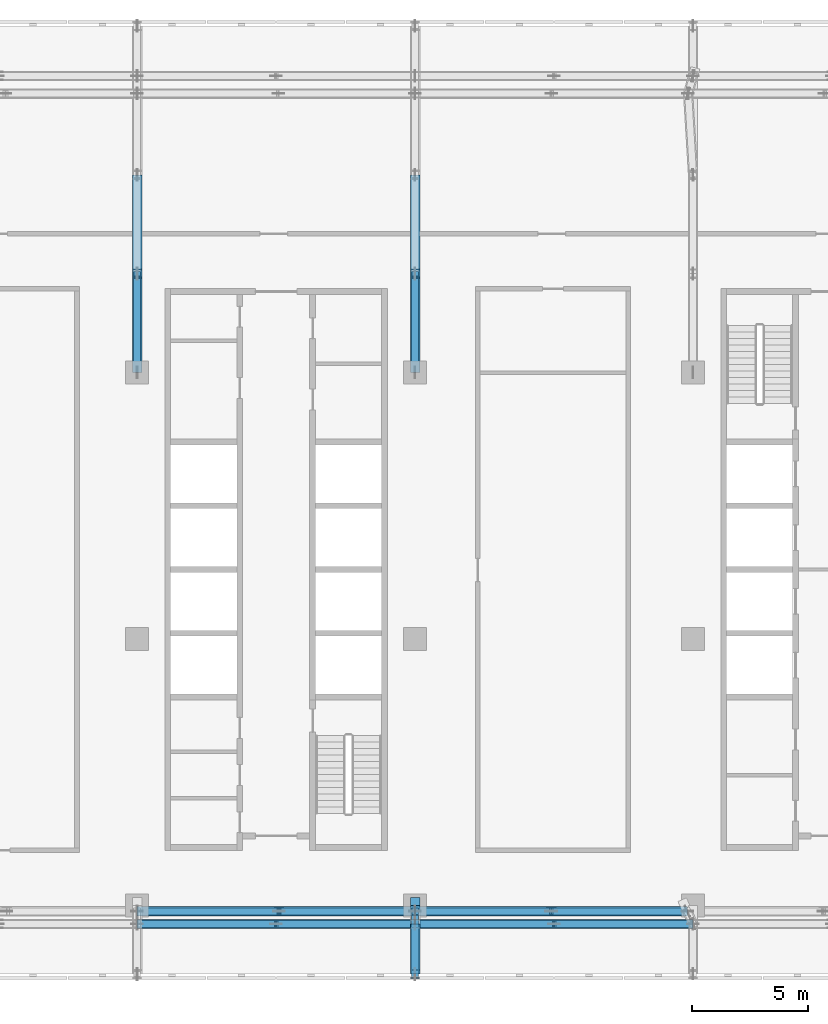
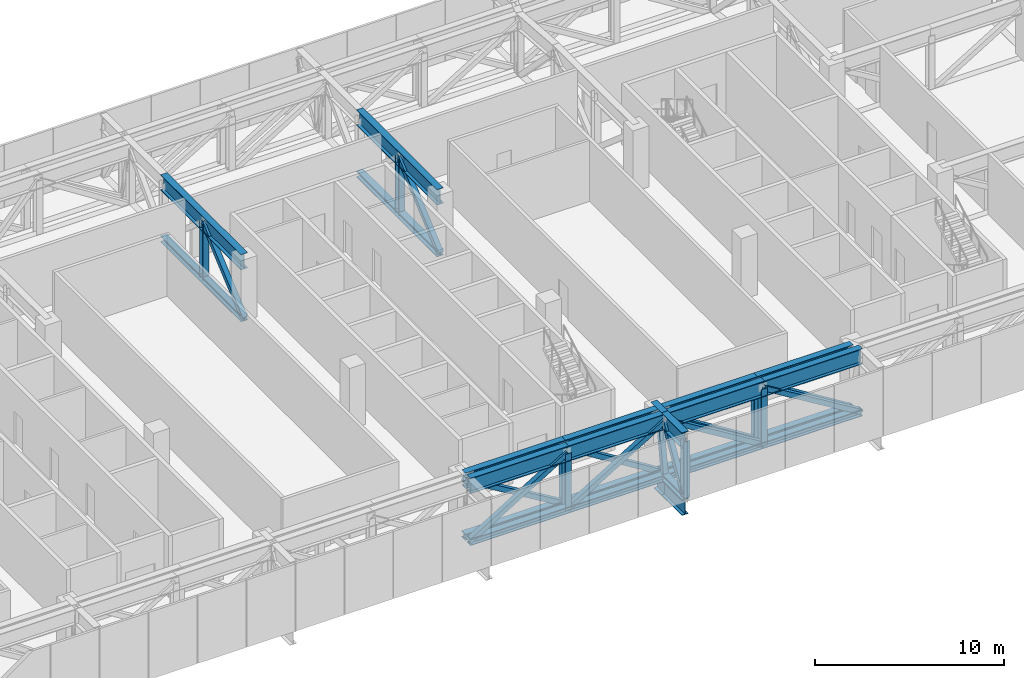
# One storey, part 6 of 29: 38 members, 2 beams.
"""IFC4 building model written with IfcOpenShell, lengths in metres."""

import ifcopenshell
import ifcopenshell.guid

model = None  # the IFC model being written
_history = None  # IfcOwnerHistory: only IFC2X3 demands one
_inside = {}  # id of a spatial element -> (the spatial element, [elements in it])
_under = {}  # id of a project, library or spatial element -> (it, [spatial elements below it])
_declared = {}  # id of a project -> (the project, [libraries it declares])
_typed = {}  # id of a type object -> (the type object, [elements of that type])
_made_of = {}  # id of a material, layer set ... -> (it, [elements and type objects made of it])


def new_model(schema):
    """Start an empty IFC model of exactly this schema.

    Asked for "IFC4X3", IfcOpenShell would pick the latest addendum, in which some entities
    have other attributes; the version numbers below select the first issue.
    IFC2X3 requires an IfcOwnerHistory on every rooted entity: one is made here for all.
    """
    global model, _history
    if schema == "IFC4X3":
        model = ifcopenshell.file(schema_version=(4, 3, 0, 0))
    else:
        model = ifcopenshell.file(schema=schema)
    _inside.clear()
    _under.clear()
    _declared.clear()
    _typed.clear()
    _made_of.clear()
    _history = None
    if model.schema == "IFC2X3":
        org = make("IfcOrganization", Name="unknown")
        user = make(
            "IfcPersonAndOrganization",
            ThePerson=make("IfcPerson", FamilyName="unknown"),
            TheOrganization=org,
        )
        app = make(
            "IfcApplication",
            ApplicationDeveloper=org,
            Version="unknown",
            ApplicationFullName="unknown",
            ApplicationIdentifier="unknown",
        )
        _history = make(
            "IfcOwnerHistory",
            OwningUser=user,
            OwningApplication=app,
            ChangeAction="ADDED",
            CreationDate=0,
        )
    return model


def make(cls, **values):
    """One entity of the class cls with the attributes given. An attribute that is None is left unset."""
    return model.create_entity(
        cls, **{name: value for name, value in values.items() if value is not None}
    )


def rooted(cls, **values):
    """An entity with a GlobalId (a new one), such as an element, a storey or a relation."""
    return make(cls, GlobalId=ifcopenshell.guid.new(), OwnerHistory=_history, **values)


def si_unit(unit_type, name, prefix=None):
    """IfcSIUnit, for example si_unit("LENGTHUNIT", "METRE", prefix="MILLI")."""
    return make("IfcSIUnit", UnitType=unit_type, Prefix=prefix, Name=name)


def assignment(units):
    """IfcUnitAssignment: the units of a project."""
    return None if units is None else make("IfcUnitAssignment", Units=units)


def point(xyz):
    """IfcCartesianPoint."""
    return None if xyz is None else make("IfcCartesianPoint", Coordinates=xyz)


def direction(xyz):
    """IfcDirection."""
    return None if xyz is None else make("IfcDirection", DirectionRatios=xyz)


def frame(location, z_axis=None, x_axis=None):
    """IfcAxis2Placement3D, a coordinate frame: its origin and axes. An axis left out is left unset."""
    return make(
        "IfcAxis2Placement3D",
        Location=point(location),
        Axis=direction(z_axis),
        RefDirection=direction(x_axis),
    )


def frame_2d(location, x_axis=None):
    """IfcAxis2Placement2D, a coordinate frame in the plane: its origin and x axis."""
    return make(
        "IfcAxis2Placement2D", Location=point(location), RefDirection=direction(x_axis)
    )


def origin():
    """The frame at (0, 0, 0) with its axes left unset."""
    return frame((0.0, 0.0, 0.0))


def origin_2d():
    """The frame at (0, 0) in the plane with its x axis left unset."""
    return frame_2d((0.0, 0.0))


def place(relative_to, where):
    """IfcLocalPlacement: puts the frame where relative to a parent placement (None: the world)."""
    return make(
        "IfcLocalPlacement", PlacementRelTo=relative_to, RelativePlacement=where
    )


def context(
    kind, dimensions, precision=None, world=None, true_north=None, identifier=None
):
    """IfcGeometricRepresentationContext, for example the 3D "Model" context."""
    return make(
        "IfcGeometricRepresentationContext",
        ContextIdentifier=identifier,
        ContextType=kind,
        CoordinateSpaceDimension=dimensions,
        Precision=precision,
        WorldCoordinateSystem=world,
        TrueNorth=true_north,
    )


def subcontext(parent, identifier, kind, view, scale=None):
    """IfcGeometricRepresentationSubContext, for example "Body" below "Model"."""
    return make(
        "IfcGeometricRepresentationSubContext",
        ContextIdentifier=identifier,
        ContextType=kind,
        ParentContext=parent,
        TargetScale=scale,
        TargetView=view,
    )


def project(units=None, contexts=None):
    """IfcProject with its units and contexts."""
    return rooted(
        "IfcProject",
        Name="project",
        RepresentationContexts=contexts,
        UnitsInContext=assignment(units),
    )


def spatial(cls, under=None, at=None, **own):
    """A site, building, storey or space (cls), placed at a placement, below another one or the project."""
    s = rooted(cls, ObjectPlacement=at, **own)
    if under is not None:
        _under.setdefault(under.id(), (under, []))[1].append(s)
    return s


def profile(cls, at=None, kind="AREA", **sizes):
    """A parametric profile (cls). Its sizes go by their IFC names, for example OverallWidth=200.0."""
    return make(cls, ProfileType=kind, Position=at, **sizes)


def hollow_rectangle(**sizes):
    """IfcRectangleHollowProfileDef."""
    return profile("IfcRectangleHollowProfileDef", **sizes)


def i_section(**sizes):
    """IfcIShapeProfileDef."""
    return profile("IfcIShapeProfileDef", **sizes)


def extrude(swept, where, along, depth):
    """IfcExtrudedAreaSolid: the profile swept, set in the frame where, extruded along a direction by depth."""
    return make(
        "IfcExtrudedAreaSolid",
        SweptArea=swept,
        Position=where,
        ExtrudedDirection=direction(along),
        Depth=depth,
    )


def shape(context_of_items, identifier, shape_type, items):
    """IfcShapeRepresentation: the items that make up one representation, for example the "Body"."""
    return make(
        "IfcShapeRepresentation",
        ContextOfItems=context_of_items,
        RepresentationIdentifier=identifier,
        RepresentationType=shape_type,
        Items=items,
    )


def material(Name=None, Category=None):
    """IfcMaterial."""
    return make("IfcMaterial", Name=Name, Category=Category)


def material_profile(
    of_material, cross_section, Name=None, Category=None, Priority=None
):
    """IfcMaterialProfile: a cross section and its material."""
    return make(
        "IfcMaterialProfile",
        Name=Name,
        Material=of_material,
        Profile=cross_section,
        Priority=Priority,
        Category=Category,
    )


def profile_set(profiles, Name=None, composite=None):
    """IfcMaterialProfileSet."""
    return make(
        "IfcMaterialProfileSet",
        Name=Name,
        MaterialProfiles=profiles,
        CompositeProfile=composite,
    )


def made_of(thing, what):
    """Note that an element or type object is made of a material, layer set ...; save() writes the relation."""
    if what is not None:
        _made_of.setdefault(what.id(), (what, []))[1].append(thing)
    return thing


def type_object(cls, material=None, **own):
    """A type object (cls), such as IfcWallType, which elements share."""
    return made_of(rooted(cls, **own), material)


def element(
    cls,
    number,
    at=None,
    inside=None,
    cuts=None,
    type_object=None,
    material=None,
    context=None,
    identifier="Body",
    shape_type=None,
    held_by="IfcProductDefinitionShape",
    body=None,
    shapes=None,
    **own,
):
    """One element of the class cls, such as IfcWall. Its Tag is "e" and its number.

    at: its placement. inside: the storey or other place that contains it. cuts: it is an
    opening in that element (IfcRelVoidsElement). A single representation is given by context,
    identifier, shape_type and body (its items); several are given by shapes. held_by: the class
    of the entity that holds the representations. save() writes the other relations.
    """
    e = rooted(cls, Tag="e%d" % number, ObjectPlacement=at, **own)
    if body is not None:
        shapes = [shape(context, identifier, shape_type, body)]
    if shapes is not None:
        e.Representation = make(held_by, Representations=shapes)
    if inside is not None:
        _inside.setdefault(inside.id(), (inside, []))[1].append(e)
    if cuts is not None:
        rooted(
            "IfcRelVoidsElement", RelatingBuildingElement=cuts, RelatedOpeningElement=e
        )
    if type_object is not None:
        _typed.setdefault(type_object.id(), (type_object, []))[1].append(e)
    return made_of(e, material)


def aggregate(whole, parts):
    """IfcRelAggregates: a whole, such as a stair, and the parts it consists of."""
    return rooted("IfcRelAggregates", RelatingObject=whole, RelatedObjects=parts)


def save(model, path):
    """Write the relations noted so far, then the file.

    IfcRelAggregates (storeys below a building ...), IfcRelContainedInSpatialStructure (elements
    in a storey), IfcRelDefinesByType, IfcRelAssociatesMaterial and IfcRelDeclares: one each for
    every whole, place, type object, material and project.
    """
    for whole, parts in _under.values():
        aggregate(whole, parts)
    for where, things in _inside.values():
        rooted(
            "IfcRelContainedInSpatialStructure",
            RelatedElements=things,
            RelatingStructure=where,
        )
    for kind, things in _typed.values():
        rooted("IfcRelDefinesByType", RelatedObjects=things, RelatingType=kind)
    for what, things in _made_of.values():
        rooted("IfcRelAssociatesMaterial", RelatedObjects=things, RelatingMaterial=what)
    for by, libraries in _declared.values():
        rooted("IfcRelDeclares", RelatingContext=by, RelatedDefinitions=libraries)
    model.write(path)


model = new_model("IFC4")

# Units and contexts
model_context = context("Model", 3, precision=1e-05, world=origin(), true_north=direction((0.0, 1.0)))
body_context = subcontext(model_context, "Body", "Model", "MODEL_VIEW")
ifc_project = project(units=[si_unit("LENGTHUNIT", "METRE"), si_unit("AREAUNIT", "SQUARE_METRE"), si_unit("VOLUMEUNIT", "CUBIC_METRE"), si_unit("PLANEANGLEUNIT", "RADIAN"), si_unit("MASSUNIT", "GRAM", prefix="KILO")], contexts=[model_context])

# Site, building, storey
site_placement = place(None, origin())
site = spatial("IfcSite", under=ifc_project, at=site_placement, CompositionType="ELEMENT")
building_placement = place(site_placement, origin())
building = spatial("IfcBuilding", under=site, at=building_placement, Name="Mahtab Terrace Research Tower", CompositionType="ELEMENT")
storey_placement = place(building_placement, frame((0.0, 0.0, 259.0)))
storey = spatial("IfcBuildingStorey", under=building, at=storey_placement, Name="L63", CompositionType="ELEMENT", Elevation=259.0)

# Members
ifc_material_1 = material(Name="Steel ASTM A500 Gr C", Category="steel")
ifc_material_profile_1 = material_profile(ifc_material_1, hollow_rectangle(XDim=0.3046875, YDim=0.3046875, WallThickness=0.0126953125, at=origin_2d()), Name="HSS12X12X1/2")
ifc_profile_set_1 = profile_set([ifc_material_profile_1], Name="Steel ASTM A500 Gr C")
member_type_1 = type_object("IfcMemberType", Name="HSS 12x12x1/2 brace TD121212", PredefinedType="BRACE", material=ifc_profile_set_1)
member_1_placement = place(storey_placement, frame((-6.0, -12.306884765625, -0.19677734375), z_axis=(0.853925355754, 0.0, 0.520395509974), x_axis=(0.0, 1.0, 0.0)))
element("IfcMember", 1, at=member_1_placement, inside=storey, type_object=member_type_1, Name="Transfer truss T7 diagonal 063", PredefinedType="BRACE", context=body_context, shape_type="SweptSolid", body=[
    extrude(hollow_rectangle(XDim=0.3046875, YDim=0.3046875, WallThickness=0.0126953125, at=origin_2d()), origin(), (0.0, 0.0, 1.0), 7.0263671875),
])
member_2_placement = place(storey_placement, frame((-6.0, 11.5, -0.19677734375), z_axis=(0.0, 0.759492630748, 0.650515905908), x_axis=(-1.0, 0.0, 0.0)))
element("IfcMember", 2, at=member_2_placement, inside=storey, type_object=member_type_1, Name="Transfer truss T7 diagonal 065", PredefinedType="BRACE", context=body_context, shape_type="SweptSolid", body=[
    extrude(hollow_rectangle(XDim=0.3046875, YDim=0.3046875, WallThickness=0.0126953125, at=origin_2d()), origin(), (0.0, 0.0, 1.0), 5.620849609375),
])
member_3_placement = place(storey_placement, frame((0.1220703125, -11.758056640625, -0.19677734375), z_axis=(-0.858527359858, 0.0, 0.512767756763), x_axis=(0.0, -1.0, 0.0)))
element("IfcMember", 3, at=member_3_placement, inside=storey, type_object=member_type_1, Name="Transfer truss T7 diagonal 072", PredefinedType="BRACE", context=body_context, shape_type="SweptSolid", body=[
    extrude(hollow_rectangle(XDim=0.3046875, YDim=0.3046875, WallThickness=0.0126953125, at=origin_2d()), origin(), (0.0, 0.0, 1.0), 7.130859375),
])
member_4_placement = place(storey_placement, frame((0.0, -12.306884765625, -0.19677734375), z_axis=(0.853925355754, 0.0, 0.520395509974), x_axis=(0.0, 1.0, 0.0)))
element("IfcMember", 4, at=member_4_placement, inside=storey, type_object=member_type_1, Name="Transfer truss T7 diagonal 073", PredefinedType="BRACE", context=body_context, shape_type="SweptSolid", body=[
    extrude(hollow_rectangle(XDim=0.3046875, YDim=0.3046875, WallThickness=0.0126953125, at=origin_2d()), origin(), (0.0, 0.0, 1.0), 7.0263671875),
])
member_5_placement = place(storey_placement, frame((6.0, -11.758056640625, -0.19677734375), z_axis=(-0.849113901535, 0.0, 0.528209789969), x_axis=(0.0, -1.0, 0.0)))
element("IfcMember", 5, at=member_5_placement, inside=storey, type_object=member_type_1, Name="Transfer truss T7 diagonal 076", PredefinedType="BRACE", context=body_context, shape_type="SweptSolid", body=[
    extrude(hollow_rectangle(XDim=0.3046875, YDim=0.3046875, WallThickness=0.0126953125, at=origin_2d()), origin(), (0.0, 0.0, 1.0), 6.92236328125),
])
member_6_placement = place(storey_placement, frame((6.0, -14.472900390625, -0.19677734375), z_axis=(0.0, 0.50966381265, 0.860373638645), x_axis=(-1.0, 0.0, 0.0)))
element("IfcMember", 6, at=member_6_placement, inside=storey, type_object=member_type_1, Name="Transfer truss T7 diagonal 077", PredefinedType="BRACE", context=body_context, shape_type="SweptSolid", body=[
    extrude(hollow_rectangle(XDim=0.3046875, YDim=0.3046875, WallThickness=0.0126953125, at=origin_2d()), origin(), (0.0, 0.0, 1.0), 4.25),
])
member_7_placement = place(storey_placement, frame((12.0, -12.306884765625, -0.19677734375), z_axis=(-0.853925355754, 0.0, 0.520395509974), x_axis=(0.0, -1.0, 0.0)))
element("IfcMember", 7, at=member_7_placement, inside=storey, type_object=member_type_1, Name="Transfer truss T7 diagonal 078", PredefinedType="BRACE", context=body_context, shape_type="SweptSolid", body=[
    extrude(hollow_rectangle(XDim=0.3046875, YDim=0.3046875, WallThickness=0.0126953125, at=origin_2d()), origin(), (0.0, 0.0, 1.0), 7.0263671875),
])
member_8_placement = place(storey_placement, frame((6.0, -12.306884765625, -0.19677734375), z_axis=(0.0, 0.148434088087, 0.988922303062), x_axis=(-1.0, 0.0, 0.0)))
element("IfcMember", 8, at=member_8_placement, inside=storey, type_object=member_type_1, Name="Transfer truss T7 diagonal 079", PredefinedType="BRACE", context=body_context, shape_type="SweptSolid", body=[
    extrude(hollow_rectangle(XDim=0.3046875, YDim=0.3046875, WallThickness=0.0126953125, at=origin_2d()), origin(), (0.0, 0.0, 1.0), 3.697509765625),
])
member_9_placement = place(storey_placement, frame((11.8779296875, -11.758056640625, -0.19677734375), z_axis=(-0.849113901535, 0.0, 0.528209789969), x_axis=(0.0, -1.0, 0.0)))
element("IfcMember", 9, at=member_9_placement, inside=storey, type_object=member_type_1, Name="Transfer truss T7 diagonal 080", PredefinedType="BRACE", context=body_context, shape_type="SweptSolid", body=[
    extrude(hollow_rectangle(XDim=0.3046875, YDim=0.3046875, WallThickness=0.0126953125, at=origin_2d()), origin(), (0.0, 0.0, 1.0), 6.92236328125),
])
member_10_placement = place(storey_placement, frame((6.0, 11.5, -0.19677734375), z_axis=(0.0, 0.759492630748, 0.650515905908), x_axis=(-1.0, 0.0, 0.0)))
element("IfcMember", 10, at=member_10_placement, inside=storey, type_object=member_type_1, Name="Transfer truss T7 diagonal 081", PredefinedType="BRACE", context=body_context, shape_type="SweptSolid", body=[
    extrude(hollow_rectangle(XDim=0.3046875, YDim=0.3046875, WallThickness=0.0126953125, at=origin_2d()), origin(), (0.0, 0.0, 1.0), 5.620849609375),
])
member_11_placement = place(storey_placement, frame((17.7548828125, -11.758056640625, -0.19677734375), z_axis=(-0.849074534516, 0.0, 0.528273068438), x_axis=(0.0, -1.0, 0.0)))
element("IfcMember", 11, at=member_11_placement, inside=storey, type_object=member_type_1, Name="Transfer truss T7 diagonal 088", PredefinedType="BRACE", context=body_context, shape_type="SweptSolid", body=[
    extrude(hollow_rectangle(XDim=0.3046875, YDim=0.3046875, WallThickness=0.0126953125, at=origin_2d()), origin(), (0.0, 0.0, 1.0), 6.921630859375),
])
member_12_placement = place(storey_placement, frame((18.0, -12.306884765625, -0.19677734375), z_axis=(-0.853925355754, 0.0, 0.520395509974), x_axis=(0.0, -1.0, 0.0)))
element("IfcMember", 12, at=member_12_placement, inside=storey, type_object=member_type_1, Name="Transfer truss T7 diagonal 090", PredefinedType="BRACE", context=body_context, shape_type="SweptSolid", body=[
    extrude(hollow_rectangle(XDim=0.3046875, YDim=0.3046875, WallThickness=0.0126953125, at=origin_2d()), origin(), (0.0, 0.0, 1.0), 7.0263671875),
])
ifc_material_2 = material(Name="Steel ASTM A992 Gr 50", Category="steel")
ifc_material_profile_2 = material_profile(ifc_material_2, i_section(OverallWidth=0.373291015625, OverallDepth=0.373291015625, WebThickness=0.016357421875, FlangeThickness=0.026123046875, at=origin_2d()), Name="W14X132")
ifc_profile_set_2 = profile_set([ifc_material_profile_2], Name="Steel ASTM A992 Gr 50")
member_type_2 = type_object("IfcMemberType", Name="W14x132 post TP14132", PredefinedType="POST", material=ifc_profile_set_2)
for number, where, z_axis, x_axis, name in (
    (13, (-6.0, 15.77001953125, -0.19677734375), (0.0, 0.0, 1.0), (1.0, 0.0, 0.0), "Transfer truss T7 post 060"),
    (14, (0.0, -12.31005859375, -0.19677734375), (0.0, 0.0, 1.0), (1.0, 0.0, 0.0), "Transfer truss T7 post 065"),
    (15, (0.1201171875, -11.760009765625, -0.19677734375), (0.0, 0.0, 1.0), (1.0, 0.0, 0.0), "Transfer truss T7 post 068"),
    (16, (6.0, -14.469970703125, -0.19677734375), (0.0, 0.0, 1.0), (1.0, 0.0, 0.0), "Transfer truss T7 post 069"),
    (17, (6.0, 15.77001953125, -0.19677734375), (0.0, 0.0, 1.0), (1.0, 0.0, 0.0), "Transfer truss T7 post 073"),
    (18, (11.8798828125, -11.760009765625, -0.19677734375), (0.0, 0.0, 1.0), (1.0, 0.0, 0.0), "Transfer truss T7 post 078"),
    (19, (12.0, -12.31005859375, -0.19677734375), (0.0, 0.0, 1.0), (1.0, 0.0, 0.0), "Transfer truss T7 post 080"),
):
    element("IfcMember", number, at=place(storey_placement, frame(where, z_axis=z_axis, x_axis=x_axis)), inside=storey, type_object=member_type_2, Name=name, PredefinedType="POST", context=body_context, shape_type="SweptSolid", body=[
        extrude(i_section(OverallWidth=0.373291015625, OverallDepth=0.373291015625, WebThickness=0.016357421875, FlangeThickness=0.026123046875, at=origin_2d()), origin(), (0.0, 0.0, 1.0), 3.656494140625),
    ])
ifc_material_profile_3 = material_profile(ifc_material_2, i_section(OverallWidth=0.40380859375, OverallDepth=0.406494140625, WebThickness=0.027099609375, FlangeThickness=0.043701171875, at=origin_2d()), Name="W14X233")
ifc_profile_set_3 = profile_set([ifc_material_profile_3], Name="Steel ASTM A992 Gr 50")
member_type_3 = type_object("IfcMemberType", Name="W14x233 chord TC14233", PredefinedType="CHORD", material=ifc_profile_set_3)
for number, where, z_axis, x_axis, name in (
    (20, (-6.0, -12.306884765625, -0.19677734375), (1.0, 0.0, 0.0), (0.0, 1.0, 0.0), "Transfer truss T7 bottom chord 021"),
    (21, (6.0, -12.306884765625, -0.19677734375), (1.0, 0.0, 0.0), (0.0, 1.0, 0.0), "Transfer truss T7 bottom chord 022"),
    (22, (-6.0, -11.758056640625, -0.19677734375), (1.0, 0.0, 0.0), (0.0, 1.0, 0.0), "Transfer truss T7 bottom chord 038"),
):
    element("IfcMember", number, at=place(storey_placement, frame(where, z_axis=z_axis, x_axis=x_axis)), inside=storey, type_object=member_type_3, Name=name, PredefinedType="CHORD", context=body_context, shape_type="SweptSolid", body=[
        extrude(i_section(OverallWidth=0.40380859375, OverallDepth=0.406494140625, WebThickness=0.027099609375, FlangeThickness=0.043701171875, at=origin_2d()), origin(), (0.0, 0.0, 1.0), 12.0),
    ])
member_13_placement = place(storey_placement, frame((6.0, -11.758056640625, -0.19677734375), z_axis=(1.0, 0.0, 0.0), x_axis=(0.0, 1.0, 0.0)))
element("IfcMember", 23, at=member_13_placement, inside=storey, type_object=member_type_3, Name="Transfer truss T7 bottom chord 039", PredefinedType="CHORD", context=body_context, shape_type="SweptSolid", body=[
    extrude(i_section(OverallWidth=0.40380859375, OverallDepth=0.406494140625, WebThickness=0.027099609375, FlangeThickness=0.043701171875, at=origin_2d()), origin(), (0.0, 0.0, 1.0), 11.7548828125),
])
member_14_placement = place(storey_placement, frame((-6.0, 11.5, -0.19677734375), z_axis=(0.0, 1.0, 0.0), x_axis=(-1.0, 0.0, 0.0)))
element("IfcMember", 24, at=member_14_placement, inside=storey, type_object=member_type_3, Name="Transfer truss T7 bottom chord 056", PredefinedType="CHORD", context=body_context, shape_type="SweptSolid", body=[
    extrude(i_section(OverallWidth=0.40380859375, OverallDepth=0.406494140625, WebThickness=0.027099609375, FlangeThickness=0.043701171875, at=origin_2d()), origin(), (0.0, 0.0, 1.0), 8.5380859375),
])
member_15_placement = place(storey_placement, frame((6.0, -14.472900390625, -0.19677734375), z_axis=(0.0, 1.0, 0.0), x_axis=(-1.0, 0.0, 0.0)))
element("IfcMember", 25, at=member_15_placement, inside=storey, type_object=member_type_3, Name="Transfer truss T7 bottom chord 059", PredefinedType="CHORD", context=body_context, shape_type="SweptSolid", body=[
    extrude(i_section(OverallWidth=0.40380859375, OverallDepth=0.406494140625, WebThickness=0.027099609375, FlangeThickness=0.043701171875, at=origin_2d()), origin(), (0.0, 0.0, 1.0), 2.166015625),
])
member_16_placement = place(storey_placement, frame((6.0, 11.5, -0.19677734375), z_axis=(0.0, 1.0, 0.0), x_axis=(-1.0, 0.0, 0.0)))
element("IfcMember", 26, at=member_16_placement, inside=storey, type_object=member_type_3, Name="Transfer truss T7 bottom chord 061", PredefinedType="CHORD", context=body_context, shape_type="SweptSolid", body=[
    extrude(i_section(OverallWidth=0.40380859375, OverallDepth=0.406494140625, WebThickness=0.027099609375, FlangeThickness=0.043701171875, at=origin_2d()), origin(), (0.0, 0.0, 1.0), 8.5380859375),
])
ifc_material_profile_4 = material_profile(ifc_material_2, i_section(OverallWidth=0.4013671875, OverallDepth=1.000732421875, WebThickness=0.01904296875, FlangeThickness=0.0361328125, at=origin_2d()), Name="W40X249")
ifc_profile_set_4 = profile_set([ifc_material_profile_4], Name="Steel ASTM A992 Gr 50")
member_type_4 = type_object("IfcMemberType", Name="W40x249 chord TT40249", PredefinedType="CHORD", material=ifc_profile_set_4)
for number, where, z_axis, x_axis, name in (
    (27, (-6.0, -12.306884765625, 3.459716796875), (1.0, 0.0, 0.0), (0.0, 1.0, 0.0), "Transfer truss T7 top chord 032"),
    (28, (0.0, -12.306884765625, 3.459716796875), (1.0, 0.0, 0.0), (0.0, 1.0, 0.0), "Transfer truss T7 top chord 033"),
    (29, (6.0, -12.306884765625, 3.459716796875), (1.0, 0.0, 0.0), (0.0, 1.0, 0.0), "Transfer truss T7 top chord 034"),
    (30, (12.0, -12.306884765625, 3.459716796875), (1.0, 0.0, 0.0), (0.0, 1.0, 0.0), "Transfer truss T7 top chord 035"),
):
    element("IfcMember", number, at=place(storey_placement, frame(where, z_axis=z_axis, x_axis=x_axis)), inside=storey, type_object=member_type_4, Name=name, PredefinedType="CHORD", context=body_context, shape_type="SweptSolid", body=[
        extrude(i_section(OverallWidth=0.4013671875, OverallDepth=1.000732421875, WebThickness=0.01904296875, FlangeThickness=0.0361328125, at=origin_2d()), origin(), (0.0, 0.0, 1.0), 6.0),
    ])
member_17_placement = place(storey_placement, frame((-6.0, -11.758056640625, 3.459716796875), z_axis=(1.0, 0.0, 0.0), x_axis=(0.0, 1.0, 0.0)))
element("IfcMember", 31, at=member_17_placement, inside=storey, type_object=member_type_4, Name="Transfer truss T7 top chord 061", PredefinedType="CHORD", context=body_context, shape_type="SweptSolid", body=[
    extrude(i_section(OverallWidth=0.4013671875, OverallDepth=1.000732421875, WebThickness=0.01904296875, FlangeThickness=0.0361328125, at=origin_2d()), origin(), (0.0, 0.0, 1.0), 6.1220703125),
])
for number, where, z_axis, x_axis, name in (
    (32, (0.1220703125, -11.758056640625, 3.459716796875), (1.0, 0.0, 0.0), (0.0, 1.0, 0.0), "Transfer truss T7 top chord 062"),
    (33, (6.0, -11.758056640625, 3.459716796875), (1.0, 0.0, 0.0), (0.0, 1.0, 0.0), "Transfer truss T7 top chord 063"),
):
    element("IfcMember", number, at=place(storey_placement, frame(where, z_axis=z_axis, x_axis=x_axis)), inside=storey, type_object=member_type_4, Name=name, PredefinedType="CHORD", context=body_context, shape_type="SweptSolid", body=[
        extrude(i_section(OverallWidth=0.4013671875, OverallDepth=1.000732421875, WebThickness=0.01904296875, FlangeThickness=0.0361328125, at=origin_2d()), origin(), (0.0, 0.0, 1.0), 5.8779296875),
    ])
member_18_placement = place(storey_placement, frame((11.8779296875, -11.758056640625, 3.459716796875), z_axis=(1.0, 0.0, 0.0), x_axis=(0.0, 1.0, 0.0)))
element("IfcMember", 34, at=member_18_placement, inside=storey, type_object=member_type_4, Name="Transfer truss T7 top chord 064", PredefinedType="CHORD", context=body_context, shape_type="SweptSolid", body=[
    extrude(i_section(OverallWidth=0.4013671875, OverallDepth=1.000732421875, WebThickness=0.01904296875, FlangeThickness=0.0361328125, at=origin_2d()), origin(), (0.0, 0.0, 1.0), 5.876953125),
])
member_19_placement = place(storey_placement, frame((-6.0, 11.5, 3.459716796875), z_axis=(0.0, 1.0, 0.0), x_axis=(-1.0, 0.0, 0.0)))
element("IfcMember", 35, at=member_19_placement, inside=storey, type_object=member_type_4, Name="Transfer truss T7 top chord 082", PredefinedType="CHORD", context=body_context, shape_type="SweptSolid", body=[
    extrude(i_section(OverallWidth=0.4013671875, OverallDepth=1.000732421875, WebThickness=0.01904296875, FlangeThickness=0.0361328125, at=origin_2d()), origin(), (0.0, 0.0, 1.0), 8.5380859375),
])
member_20_placement = place(storey_placement, frame((6.0, -14.472900390625, 3.459716796875), z_axis=(0.0, 1.0, 0.0), x_axis=(-1.0, 0.0, 0.0)))
element("IfcMember", 36, at=member_20_placement, inside=storey, type_object=member_type_4, Name="Transfer truss T7 top chord 085", PredefinedType="CHORD", context=body_context, shape_type="SweptSolid", body=[
    extrude(i_section(OverallWidth=0.4013671875, OverallDepth=1.000732421875, WebThickness=0.01904296875, FlangeThickness=0.0361328125, at=origin_2d()), origin(), (0.0, 0.0, 1.0), 2.166015625),
])
member_21_placement = place(storey_placement, frame((6.0, -12.306884765625, 3.459716796875), z_axis=(0.0, 1.0, 0.0), x_axis=(-1.0, 0.0, 0.0)))
element("IfcMember", 37, at=member_21_placement, inside=storey, type_object=member_type_4, Name="Transfer truss T7 top chord 086", PredefinedType="CHORD", context=body_context, shape_type="SweptSolid", body=[
    extrude(i_section(OverallWidth=0.4013671875, OverallDepth=1.000732421875, WebThickness=0.01904296875, FlangeThickness=0.0361328125, at=origin_2d()), origin(), (0.0, 0.0, 1.0), 1.15087890625),
])
member_22_placement = place(storey_placement, frame((6.0, 11.5, 3.459716796875), z_axis=(0.0, 1.0, 0.0), x_axis=(-1.0, 0.0, 0.0)))
element("IfcMember", 38, at=member_22_placement, inside=storey, type_object=member_type_4, Name="Transfer truss T7 top chord 087", PredefinedType="CHORD", context=body_context, shape_type="SweptSolid", body=[
    extrude(i_section(OverallWidth=0.4013671875, OverallDepth=1.000732421875, WebThickness=0.01904296875, FlangeThickness=0.0361328125, at=origin_2d()), origin(), (0.0, 0.0, 1.0), 8.5380859375),
])

# Beams
ifc_material_profile_5 = material_profile(ifc_material_2, i_section(OverallWidth=0.4013671875, OverallDepth=1.000732421875, WebThickness=0.01904296875, FlangeThickness=0.0361328125, at=origin_2d()), Name="W40X249")
ifc_profile_set_5 = profile_set([ifc_material_profile_5], Name="Steel ASTM A992 Gr 50")
beam_type = type_object("IfcBeamType", Name="W40x249 transfer girder TG40249", PredefinedType="BEAM", material=ifc_profile_set_5)
beam_1_placement = place(storey_placement, frame((6.0, -14.472900390625, -0.8984375), z_axis=(0.0, 1.0, 0.0), x_axis=(-1.0, 0.0, 0.0)))
element("IfcBeam", 39, at=beam_1_placement, inside=storey, type_object=beam_type, Name="Transfer girder T7 25", PredefinedType="BEAM", context=body_context, shape_type="SweptSolid", body=[
    extrude(i_section(OverallWidth=0.4013671875, OverallDepth=1.000732421875, WebThickness=0.01904296875, FlangeThickness=0.0361328125, at=origin_2d()), origin(), (0.0, 0.0, 1.0), 2.166015625),
])
beam_2_placement = place(storey_placement, frame((6.0, -12.306884765625, -0.8984375), z_axis=(0.0, 1.0, 0.0), x_axis=(-1.0, 0.0, 0.0)))
element("IfcBeam", 40, at=beam_2_placement, inside=storey, type_object=beam_type, Name="Transfer girder T7 26", PredefinedType="BEAM", context=body_context, shape_type="SweptSolid", body=[
    extrude(i_section(OverallWidth=0.4013671875, OverallDepth=1.000732421875, WebThickness=0.01904296875, FlangeThickness=0.0361328125, at=origin_2d()), origin(), (0.0, 0.0, 1.0), 0.806884765625),
])

save(model, "model.ifc")
